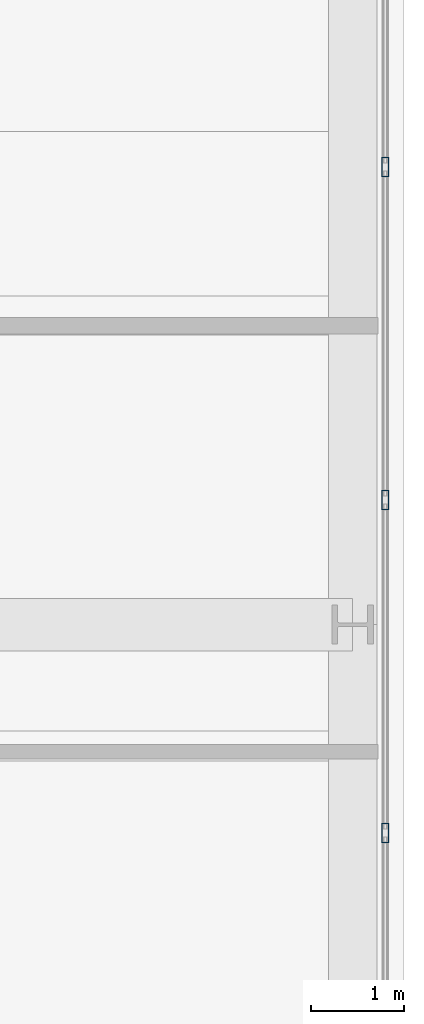
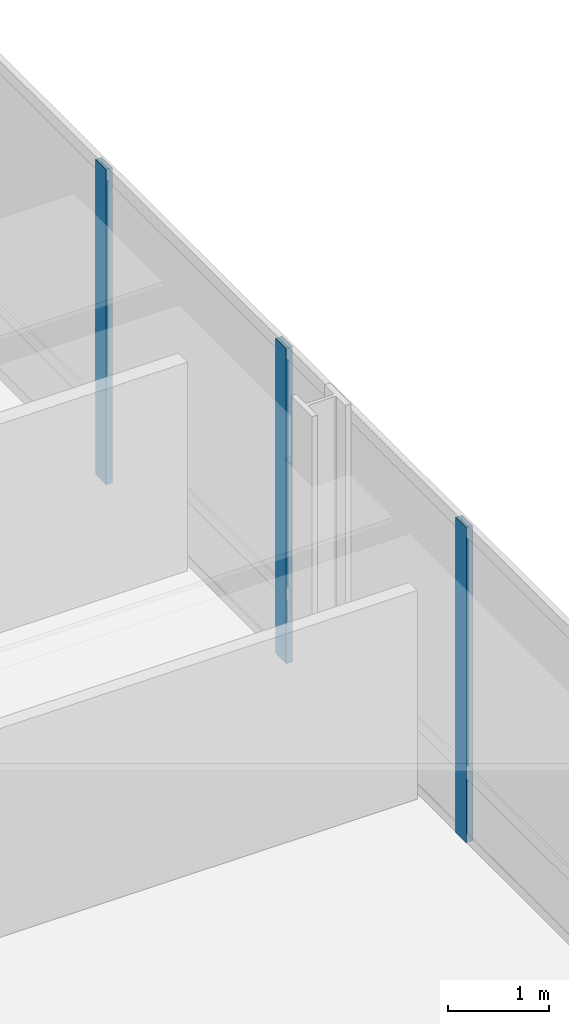
# One storey, part 17 of 35: 3 members, 1 element without a shape of its own.
"""IFC4 building model written with IfcOpenShell, lengths in metres."""

from ifc_helpers import new_model, si_unit, direction, frame, origin, origin_2d, place, context, subcontext, project, spatial, hollow_rectangle, extrude, material, material_profile, profile_set, type_object, element, aggregate, save


model = new_model("IFC4")

# Units and contexts
model_context = context("Model", 3, precision=1e-05, world=origin(), true_north=direction((0.0, 1.0)))
body_context = subcontext(model_context, "Body", "Model", "MODEL_VIEW")
ifc_project = project(units=[si_unit("LENGTHUNIT", "METRE"), si_unit("AREAUNIT", "SQUARE_METRE"), si_unit("VOLUMEUNIT", "CUBIC_METRE"), si_unit("PLANEANGLEUNIT", "RADIAN"), si_unit("MASSUNIT", "GRAM", prefix="KILO")], contexts=[model_context])

# Site, building, storey
site_placement = place(None, origin())
site = spatial("IfcSite", under=ifc_project, at=site_placement, CompositionType="ELEMENT")
building_placement = place(site_placement, origin())
building = spatial("IfcBuilding", under=site, at=building_placement, Name="Punatoya Terracotta Tower", CompositionType="ELEMENT")
storey_placement = place(building_placement, frame((0.0, 0.0, 64.64990234375)))
storey = spatial("IfcBuildingStorey", under=building, at=storey_placement, Name="L14", CompositionType="ELEMENT", Elevation=64.64990234375)

# Curtain wall, members
ifc_material_1 = material(Name="Aluminium 6063-T6 + Double Low-E Glass", Category="aluminium")
curtain_wall_type = type_object("IfcCurtainWallType", Name="CW-M1", PredefinedType="NOTDEFINED", material=ifc_material_1)
curtain_wall_placement = place(storey_placement, origin())
curtain_wall = element("IfcCurtainWall", 1, at=curtain_wall_placement, inside=storey, type_object=curtain_wall_type, Name="L14 Curtain Wall CW-L14-E05-1", PredefinedType="NOTDEFINED")
ifc_material_2 = material(Name="Aluminium 6063-T6", Category="aluminium")
ifc_material_profile = material_profile(ifc_material_2, hollow_rectangle(XDim=0.074951171875, YDim=0.2099609375, WallThickness=0.00439453125, at=origin_2d()))
ifc_profile_set = profile_set([ifc_material_profile], Name="Aluminium 6063-T6")
member_type = type_object("IfcMemberType", Name="CW-MUL-M1", PredefinedType="MULLION", material=ifc_profile_set)
member_1_placement = place(storey_placement, frame((24.85009765625, 1.16748046875, 0.0), z_axis=(0.0, 0.0, 1.0), x_axis=(1.0, 0.0, 0.0)))
member_1 = element("IfcMember", 2, at=member_1_placement, type_object=member_type, Name="CW-L14-E05-1 Mullion 06", PredefinedType="MULLION", context=body_context, shape_type="SweptSolid", body=[
    extrude(hollow_rectangle(XDim=0.074951171875, YDim=0.2099609375, WallThickness=0.00439453125, at=origin_2d()), origin(), (0.0, 0.0, 1.0), 3.81005859375),
])
member_2_placement = place(storey_placement, frame((24.85009765625, 4.73486328125, 0.0), z_axis=(0.0, 0.0, 1.0), x_axis=(1.0, 0.0, 0.0)))
member_2 = element("IfcMember", 3, at=member_2_placement, type_object=member_type, Name="CW-L14-E05-1 Mullion 07", PredefinedType="MULLION", context=body_context, shape_type="SweptSolid", body=[
    extrude(hollow_rectangle(XDim=0.074951171875, YDim=0.2099609375, WallThickness=0.00439453125, at=origin_2d()), origin(), (0.0, 0.0, 1.0), 3.81005859375),
])
member_3_placement = place(storey_placement, frame((24.85009765625, 8.302001953125, 0.0), z_axis=(0.0, 0.0, 1.0), x_axis=(1.0, 0.0, 0.0)))
member_3 = element("IfcMember", 4, at=member_3_placement, type_object=member_type, Name="CW-L14-E05-1 Mullion 08", PredefinedType="MULLION", context=body_context, shape_type="SweptSolid", body=[
    extrude(hollow_rectangle(XDim=0.074951171875, YDim=0.2099609375, WallThickness=0.00439453125, at=origin_2d()), origin(), (0.0, 0.0, 1.0), 3.81005859375),
])
aggregate(curtain_wall, [member_1, member_2, member_3])

save(model, "model.ifc")
